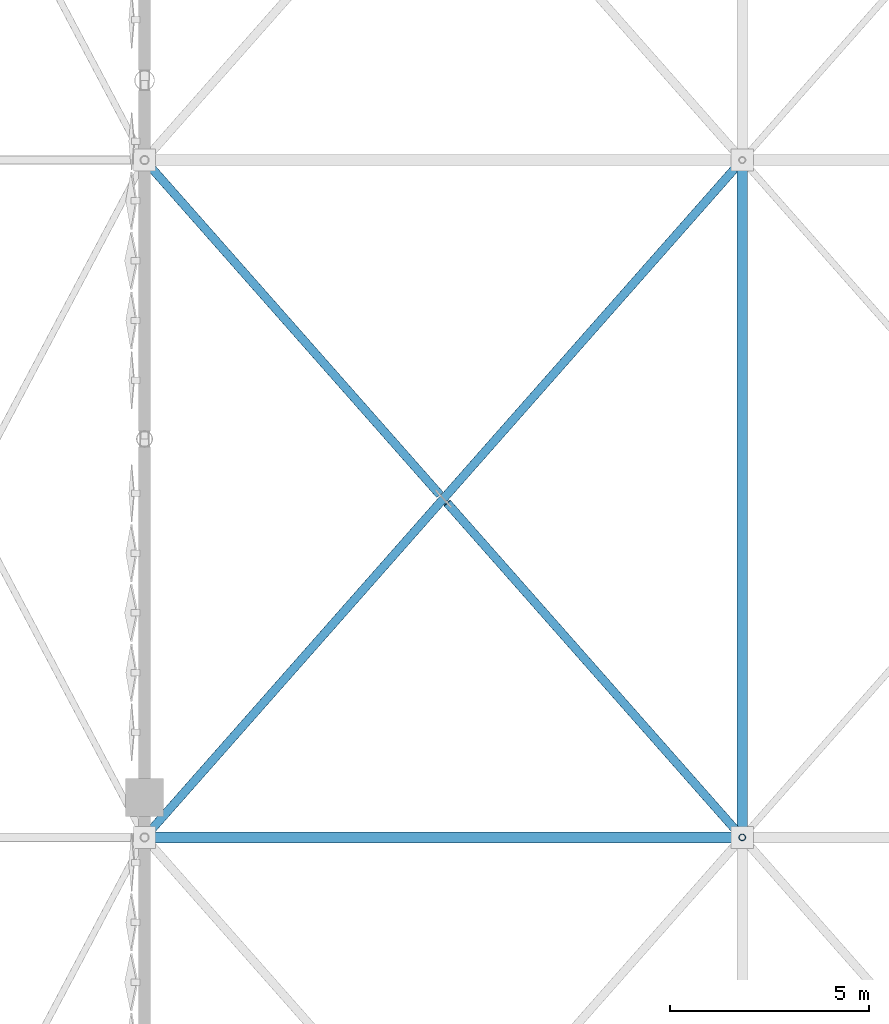
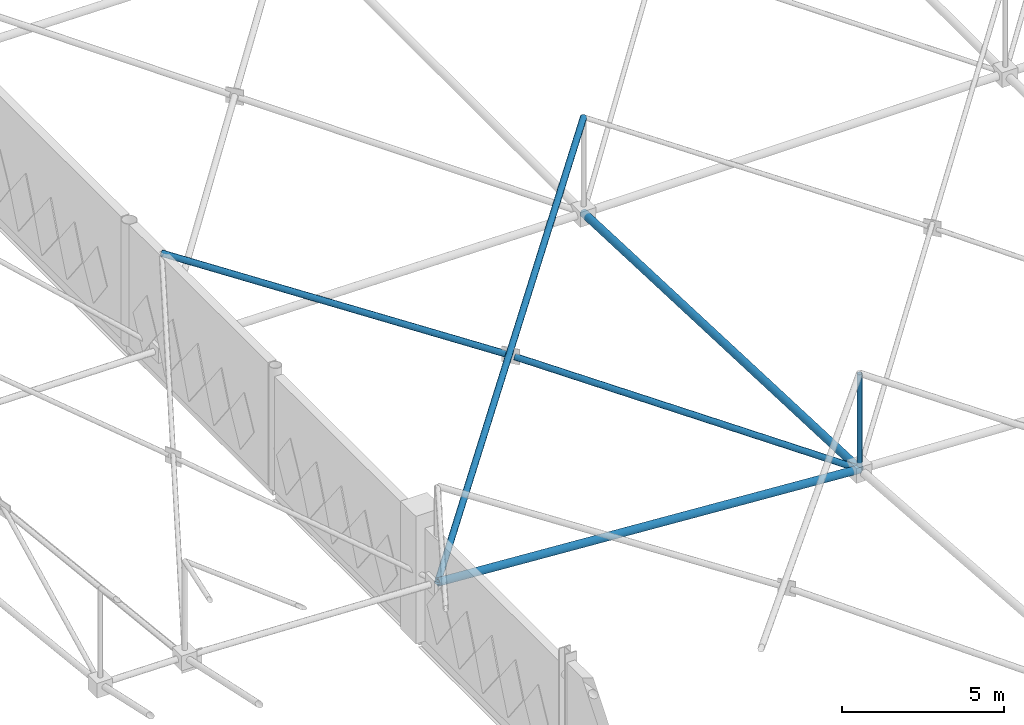
# One storey, part 31 of 224: 6 members.
"""IFC4 building model written with IfcOpenShell, lengths in metres."""

from ifc_helpers import new_model, si_unit, direction, frame, origin, origin_2d, place, context, subcontext, project, spatial, hollow_circle, extrude, material, material_profile, profile_set, type_object, element, save


model = new_model("IFC4")

# Units and contexts
model_context = context("Model", 3, precision=1e-05, world=origin(), true_north=direction((0.0, 1.0)))
body_context = subcontext(model_context, "Body", "Model", "MODEL_VIEW")
ifc_project = project(units=[si_unit("LENGTHUNIT", "METRE"), si_unit("AREAUNIT", "SQUARE_METRE"), si_unit("VOLUMEUNIT", "CUBIC_METRE"), si_unit("PLANEANGLEUNIT", "RADIAN"), si_unit("MASSUNIT", "GRAM", prefix="KILO")], contexts=[model_context])

# Site, building, storey
site_placement = place(None, origin())
site = spatial("IfcSite", under=ifc_project, at=site_placement, CompositionType="ELEMENT")
building_placement = place(site_placement, origin())
building = spatial("IfcBuilding", under=site, at=building_placement, Name="Qamarlyn Nura Convention Centre", CompositionType="ELEMENT")
storey_placement = place(building_placement, frame((0.0, 0.0, 10.800048828125)))
storey = spatial("IfcBuildingStorey", under=building, at=storey_placement, Name="L02", CompositionType="ELEMENT", Elevation=10.800048828125)

# Members
ifc_material = material(Name="Pearl-white PVDF steel ASTM A500 Grade C", Category="steel")
ifc_material_profile_1 = material_profile(ifc_material, hollow_circle(Radius=0.136474609375, WallThickness=0.012451171875, at=origin_2d()), Name="CHS273X12.5")
ifc_profile_set_1 = profile_set([ifc_material_profile_1], Name="Pearl-white PVDF steel ASTM A500 Grade C")
member_type_1 = type_object("IfcMemberType", Name="SF-BC-MAIN", PredefinedType="CHORD", material=ifc_profile_set_1)
member_1_placement = place(storey_placement, frame((0.0, 35.0, 2.483642578125), z_axis=(0.997771123533, 0.0, -0.066729191839), x_axis=(0.0, 1.0, 0.0)))
element("IfcMember", 1, at=member_1_placement, inside=storey, type_object=member_type_1, Name="ROOF TRUSS space frame bottom chord X2-3", PredefinedType="CHORD", context=body_context, shape_type="SweptSolid", body=[
    extrude(hollow_circle(Radius=0.136474609375, WallThickness=0.012451171875, at=origin_2d()), origin(), (0.0, 0.0, 1.0), 15.033447265625),
])
member_2_placement = place(storey_placement, frame((15.0, 35.0, 1.48046875), z_axis=(0.0, 0.999202837298, -0.039921046263), x_axis=(-1.0, 0.0, 0.0)))
element("IfcMember", 2, at=member_2_placement, inside=storey, type_object=member_type_1, Name="ROOF TRUSS space frame bottom chord Y3-3", PredefinedType="CHORD", context=body_context, shape_type="SweptSolid", body=[
    extrude(hollow_circle(Radius=0.136474609375, WallThickness=0.012451171875, at=origin_2d()), origin(), (0.0, 0.0, 1.0), 17.013671875),
])
ifc_material_profile_2 = material_profile(ifc_material, hollow_circle(Radius=0.109619140625, WallThickness=0.010009765625, at=origin_2d()), Name="CHS219.1X10")
ifc_profile_set_2 = profile_set([ifc_material_profile_2], Name="Pearl-white PVDF steel ASTM A500 Grade C")
member_type_2 = type_object("IfcMemberType", Name="SF-WEB-HVY", PredefinedType="BRACE", material=ifc_profile_set_2)
member_3_placement = place(storey_placement, frame((0.0, 35.0, 2.483642578125), z_axis=(0.65926731355, 0.747169622023, 0.08428621009), x_axis=(-0.749837855365, 0.661621637087, 0.0)))
element("IfcMember", 3, at=member_3_placement, inside=storey, type_object=member_type_2, Name="ROOF TRUSS space frame diagonal A 2-3", PredefinedType="BRACE", context=body_context, shape_type="SweptSolid", body=[
    extrude(hollow_circle(Radius=0.109619140625, WallThickness=0.010009765625, at=origin_2d()), origin(), (0.0, 0.0, 1.0), 22.75244140625),
])
member_4_placement = place(storey_placement, frame((15.0, 35.0, 1.48046875), z_axis=(-0.653892079386, 0.741080563211, 0.152396677611), x_axis=(-0.74983912797, -0.661620194799, 0.0)))
element("IfcMember", 4, at=member_4_placement, inside=storey, type_object=member_type_2, Name="ROOF TRUSS space frame split diagonal B1 2-3", PredefinedType="BRACE", context=body_context, shape_type="SweptSolid", body=[
    extrude(hollow_circle(Radius=0.109619140625, WallThickness=0.010009765625, at=origin_2d()), origin(), (0.0, 0.0, 1.0), 11.329345703125),
])
member_5_placement = place(storey_placement, frame((7.408203125, 43.60400390625, 3.244384765625), z_axis=(-0.657252727705, 0.744889312739, 0.114711654559), x_axis=(-0.74983912797, -0.661620194799, 0.0)))
element("IfcMember", 5, at=member_5_placement, inside=storey, type_object=member_type_2, Name="ROOF TRUSS space frame split diagonal B2 2-3", PredefinedType="BRACE", context=body_context, shape_type="SweptSolid", body=[
    extrude(hollow_circle(Radius=0.109619140625, WallThickness=0.010009765625, at=origin_2d()), origin(), (0.0, 0.0, 1.0), 11.271484375),
])
ifc_material_profile_3 = material_profile(ifc_material, hollow_circle(Radius=0.084228515625, WallThickness=0.008056640625, at=origin_2d()), Name="CHS168.3X8")
ifc_profile_set_3 = profile_set([ifc_material_profile_3], Name="Pearl-white PVDF steel ASTM A500 Grade C")
member_type_3 = type_object("IfcMemberType", Name="SF-WEB-STD", PredefinedType="BRACE", material=ifc_profile_set_3)
member_6_placement = place(storey_placement, frame((15.0, 35.0, 1.48046875), z_axis=(0.0, 0.0, 1.0), x_axis=(1.0, 0.0, 0.0)))
element("IfcMember", 6, at=member_6_placement, inside=storey, type_object=member_type_3, Name="ROOF TRUSS space frame vertical 3-3", PredefinedType="BRACE", context=body_context, shape_type="SweptSolid", body=[
    extrude(hollow_circle(Radius=0.084228515625, WallThickness=0.008056640625, at=origin_2d()), origin(), (0.0, 0.0, 1.0), 3.60009765625),
])

save(model, "model.ifc")
